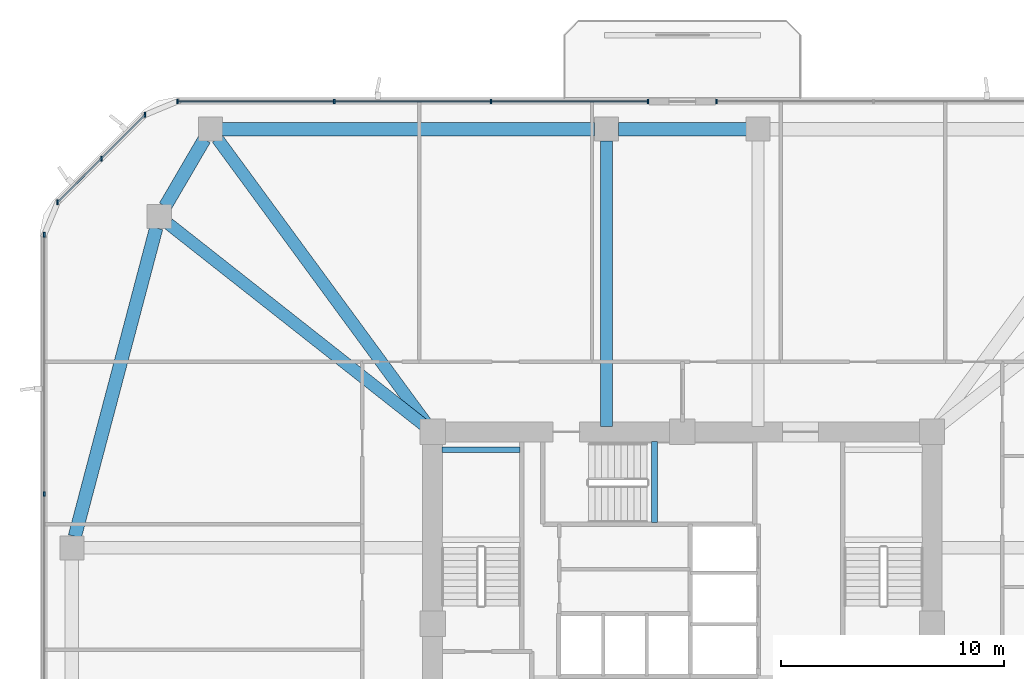
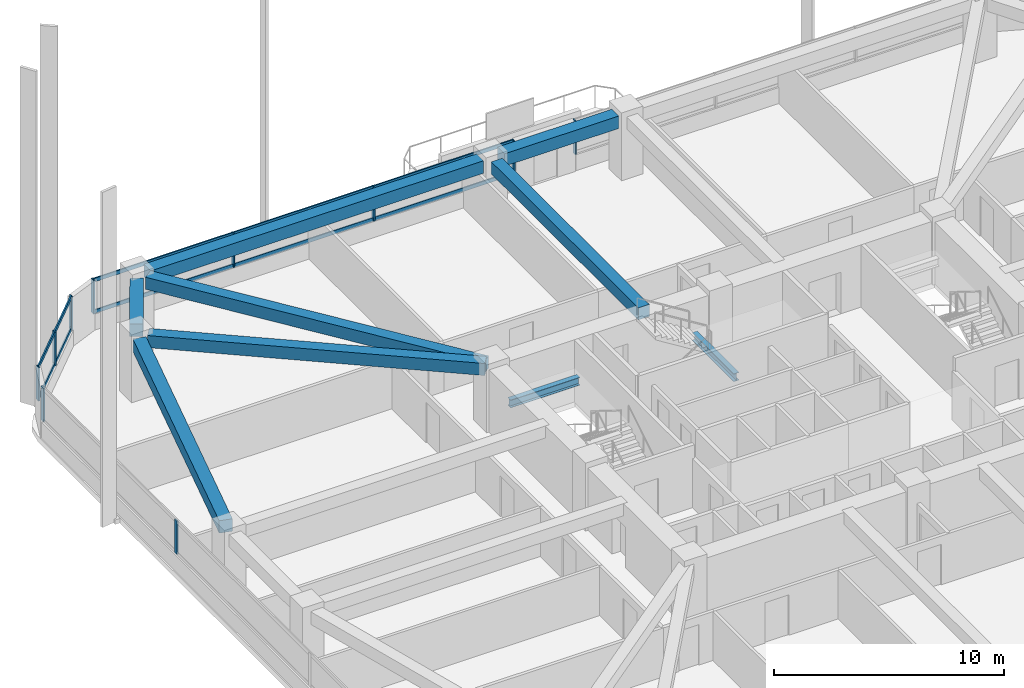
# One storey, part 6 of 17: 14 members, 9 beams, 4 elements without a shape of their own.
"""IFC4 building model written with IfcOpenShell, lengths in metres."""

from ifc_helpers import new_model, si_unit, derived_unit, direction, frame, origin, origin_2d, place, context, subcontext, project, spatial, rectangle, i_section, extrude, material, material_profile, profile_set, type_object, element, aggregate, save


model = new_model("IFC4")

# Units and contexts
model_context = context("Model", 3, precision=1e-05, world=origin(), true_north=direction((0.0, 1.0)))
body_context = subcontext(model_context, "Body", "Model", "MODEL_VIEW")
ifc_project = project(units=[si_unit("LENGTHUNIT", "METRE"), si_unit("AREAUNIT", "SQUARE_METRE"), si_unit("VOLUMEUNIT", "CUBIC_METRE"), si_unit("PLANEANGLEUNIT", "RADIAN"), si_unit("MASSUNIT", "GRAM", prefix="KILO"), derived_unit("THERMALTRANSMITTANCEUNIT", [(si_unit("POWERUNIT", "WATT"), 1), (si_unit("LENGTHUNIT", "METRE"), -2), (si_unit("THERMODYNAMICTEMPERATUREUNIT", "KELVIN"), -1)])], contexts=[model_context])

# Site, building, storey
site_placement = place(None, origin())
site = spatial("IfcSite", under=ifc_project, at=site_placement, CompositionType="ELEMENT")
building_placement = place(site_placement, origin())
building = spatial("IfcBuilding", under=site, at=building_placement, Name="Koralith Skygarden Medical Center", CompositionType="ELEMENT")
storey_placement = place(building_placement, frame((0.0, 0.0, 67.139892578125)))
storey = spatial("IfcBuildingStorey", under=building, at=storey_placement, Name="L17", CompositionType="ELEMENT", Elevation=67.139892578125)

# Curtain wall, member
ifc_material_1 = material(Name="Clear Laminated Glass", Category="glass")
curtain_wall_type = type_object("IfcCurtainWallType", Name="CW-2 Zone 1 Hurricane Unitised Curtain Wall", PredefinedType="NOTDEFINED", material=ifc_material_1)
curtain_wall_1_placement = place(storey_placement, origin())
curtain_wall_1 = element("IfcCurtainWall", 1, at=curtain_wall_1_placement, inside=storey, type_object=curtain_wall_type, Name="Curtain Wall CW-L17-N-L", PredefinedType="NOTDEFINED")
ifc_material_2 = material(Name="Aluminium 6063-T6", Category="aluminium")
ifc_material_profile_1 = material_profile(ifc_material_2, rectangle(XDim=0.071044921875, YDim=0.219970703125, at=origin_2d()), Name="MUL71X220")
ifc_profile_set_1 = profile_set([ifc_material_profile_1], Name="Aluminium 6063-T6")
member_type_1 = type_object("IfcMemberType", Name="CW-2 Extruded Mullion 71x220", PredefinedType="MULLION", material=ifc_profile_set_1)
member_1_placement = place(storey_placement, frame((38.5400390625, 49.320068359375, 0.85009765625), z_axis=(0.0, 0.0, 1.0), x_axis=(1.0, 0.0, 0.0)))
member_1 = element("IfcMember", 2, at=member_1_placement, type_object=member_type_1, Name="CW-L17-N-L Mullion 4", PredefinedType="MULLION", context=body_context, shape_type="SweptSolid", body=[
    extrude(rectangle(XDim=0.071044921875, YDim=0.219970703125, at=origin_2d()), origin(), (0.0, 0.0, 1.0), 1.780029296875),
])
aggregate(curtain_wall_1, [member_1])

# Curtain wall, members
curtain_wall_2_placement = place(storey_placement, origin())
curtain_wall_2 = element("IfcCurtainWall", 3, at=curtain_wall_2_placement, inside=storey, type_object=curtain_wall_type, Name="Curtain Wall CW-L17-N-R", PredefinedType="NOTDEFINED")
member_2_placement = place(storey_placement, frame((35.4599609375, 49.320068359375, 0.85009765625), z_axis=(0.0, 0.0, 1.0), x_axis=(1.0, 0.0, 0.0)))
member_2 = element("IfcMember", 4, at=member_2_placement, type_object=member_type_1, Name="CW-L17-N-R Mullion 1", PredefinedType="MULLION", context=body_context, shape_type="SweptSolid", body=[
    extrude(rectangle(XDim=0.071044921875, YDim=0.219970703125, at=origin_2d()), origin(), (0.0, 0.0, 1.0), 1.780029296875),
])
member_3_placement = place(storey_placement, frame((28.425048828125, 49.320068359375, 0.85009765625), z_axis=(0.0, 0.0, 1.0), x_axis=(1.0, 0.0, 0.0)))
member_3 = element("IfcMember", 5, at=member_3_placement, type_object=member_type_1, Name="CW-L17-N-R Mullion 2", PredefinedType="MULLION", context=body_context, shape_type="SweptSolid", body=[
    extrude(rectangle(XDim=0.071044921875, YDim=0.219970703125, at=origin_2d()), origin(), (0.0, 0.0, 1.0), 1.780029296875),
])
member_4_placement = place(storey_placement, frame((21.389892578125, 49.320068359375, 0.85009765625), z_axis=(0.0, 0.0, 1.0), x_axis=(1.0, 0.0, 0.0)))
member_4 = element("IfcMember", 6, at=member_4_placement, type_object=member_type_1, Name="CW-L17-N-R Mullion 3", PredefinedType="MULLION", context=body_context, shape_type="SweptSolid", body=[
    extrude(rectangle(XDim=0.071044921875, YDim=0.219970703125, at=origin_2d()), origin(), (0.0, 0.0, 1.0), 1.780029296875),
])
member_5_placement = place(storey_placement, frame((14.35498046875, 49.320068359375, 0.85009765625), z_axis=(0.0, 0.0, 1.0), x_axis=(1.0, 0.0, 0.0)))
member_5 = element("IfcMember", 7, at=member_5_placement, type_object=member_type_1, Name="CW-L17-N-R Mullion 4", PredefinedType="MULLION", context=body_context, shape_type="SweptSolid", body=[
    extrude(rectangle(XDim=0.071044921875, YDim=0.219970703125, at=origin_2d()), origin(), (0.0, 0.0, 1.0), 1.780029296875),
])

curtain_wall_3_placement = place(storey_placement, origin())
curtain_wall_3 = element("IfcCurtainWall", 8, at=curtain_wall_3_placement, inside=storey, type_object=curtain_wall_type, Name="Curtain Wall CW-L17-NW", PredefinedType="NOTDEFINED")
member_6_placement = place(storey_placement, frame((12.904052734375, 48.718994140625, 0.85009765625), z_axis=(0.0, 0.0, 1.0), x_axis=(1.0, 0.0, 0.0)))
member_6 = element("IfcMember", 9, at=member_6_placement, type_object=member_type_1, Name="CW-L17-NW Mullion 1", PredefinedType="MULLION", context=body_context, shape_type="SweptSolid", body=[
    extrude(rectangle(XDim=0.071044921875, YDim=0.219970703125, at=origin_2d()), origin(), (0.0, 0.0, 1.0), 1.780029296875),
])
member_7_placement = place(storey_placement, frame((10.94189453125, 46.758056640625, 0.85009765625), z_axis=(0.0, 0.0, 1.0), x_axis=(1.0, 0.0, 0.0)))
member_7 = element("IfcMember", 10, at=member_7_placement, type_object=member_type_1, Name="CW-L17-NW Mullion 2", PredefinedType="MULLION", context=body_context, shape_type="SweptSolid", body=[
    extrude(rectangle(XDim=0.071044921875, YDim=0.219970703125, at=origin_2d()), origin(), (0.0, 0.0, 1.0), 1.780029296875),
])
member_8_placement = place(storey_placement, frame((8.98095703125, 44.7958984375, 0.85009765625), z_axis=(0.0, 0.0, 1.0), x_axis=(1.0, 0.0, 0.0)))
member_8 = element("IfcMember", 11, at=member_8_placement, type_object=member_type_1, Name="CW-L17-NW Mullion 3", PredefinedType="MULLION", context=body_context, shape_type="SweptSolid", body=[
    extrude(rectangle(XDim=0.071044921875, YDim=0.219970703125, at=origin_2d()), origin(), (0.0, 0.0, 1.0), 1.780029296875),
])

curtain_wall_4_placement = place(storey_placement, origin())
curtain_wall_4 = element("IfcCurtainWall", 12, at=curtain_wall_4_placement, inside=storey, type_object=curtain_wall_type, Name="Curtain Wall CW-L17-W", PredefinedType="NOTDEFINED")
member_9_placement = place(storey_placement, frame((8.3798828125, 43.344970703125, 0.85009765625), z_axis=(0.0, 0.0, 1.0), x_axis=(1.0, 0.0, 0.0)))
member_9 = element("IfcMember", 13, at=member_9_placement, type_object=member_type_1, Name="CW-L17-W Mullion 1", PredefinedType="MULLION", context=body_context, shape_type="SweptSolid", body=[
    extrude(rectangle(XDim=0.071044921875, YDim=0.219970703125, at=origin_2d()), origin(), (0.0, 0.0, 1.0), 1.780029296875),
])
member_10_placement = place(storey_placement, frame((8.3798828125, 31.715087890625, 0.85009765625), z_axis=(0.0, 0.0, 1.0), x_axis=(1.0, 0.0, 0.0)))
member_10 = element("IfcMember", 14, at=member_10_placement, type_object=member_type_1, Name="CW-L17-W Mullion 2", PredefinedType="MULLION", context=body_context, shape_type="SweptSolid", body=[
    extrude(rectangle(XDim=0.071044921875, YDim=0.219970703125, at=origin_2d()), origin(), (0.0, 0.0, 1.0), 1.780029296875),
])
aggregate(curtain_wall_4, [member_9, member_10])

# Member
ifc_material_profile_2 = material_profile(ifc_material_2, rectangle(XDim=0.06591796875, YDim=0.197998046875, at=origin_2d()), Name="TRN66X198")
ifc_profile_set_2 = profile_set([ifc_material_profile_2], Name="Aluminium 6063-T6")
member_type_2 = type_object("IfcMemberType", Name="CW-2 Thermal Transom 66x198", PredefinedType="USERDEFINED", material=ifc_profile_set_2)
member_11_placement = place(storey_placement, frame((35.4599609375, 49.320068359375, 0.900146484375), z_axis=(-1.0, 0.0, 0.0), x_axis=(0.0, -1.0, 0.0)))
member_11 = element("IfcMember", 15, at=member_11_placement, type_object=member_type_2, Name="CW-L17-N-R Transom 1", ObjectType="TRANSOM", PredefinedType="USERDEFINED", context=body_context, shape_type="SweptSolid", body=[
    extrude(rectangle(XDim=0.06591796875, YDim=0.197998046875, at=origin_2d()), origin(), (0.0, 0.0, 1.0), 21.10498046875),
])

member_12_placement = place(storey_placement, frame((35.4599609375, 49.320068359375, 2.580078125), z_axis=(-1.0, 0.0, 0.0), x_axis=(0.0, -1.0, 0.0)))
member_12 = element("IfcMember", 16, at=member_12_placement, type_object=member_type_2, Name="CW-L17-N-R Transom 2", ObjectType="TRANSOM", PredefinedType="USERDEFINED", context=body_context, shape_type="SweptSolid", body=[
    extrude(rectangle(XDim=0.06591796875, YDim=0.197998046875, at=origin_2d()), origin(), (0.0, 0.0, 1.0), 21.10498046875),
])

aggregate(curtain_wall_2, [member_2, member_3, member_4, member_5, member_11, member_12])

member_13_placement = place(storey_placement, frame((12.904052734375, 48.718994140625, 0.900146484375), z_axis=(-0.707106781187, -0.707106781187, 0.0), x_axis=(0.707106781187, -0.707106781187, 0.0)))
member_13 = element("IfcMember", 17, at=member_13_placement, type_object=member_type_2, Name="CW-L17-NW Transom 1", ObjectType="TRANSOM", PredefinedType="USERDEFINED", context=body_context, shape_type="SweptSolid", body=[
    extrude(rectangle(XDim=0.06591796875, YDim=0.197998046875, at=origin_2d()), origin(), (0.0, 0.0, 1.0), 5.548095703125),
])

member_14_placement = place(storey_placement, frame((12.904052734375, 48.718994140625, 2.580078125), z_axis=(-0.707106781187, -0.707106781187, 0.0), x_axis=(0.707106781187, -0.707106781187, 0.0)))
member_14 = element("IfcMember", 18, at=member_14_placement, type_object=member_type_2, Name="CW-L17-NW Transom 2", ObjectType="TRANSOM", PredefinedType="USERDEFINED", context=body_context, shape_type="SweptSolid", body=[
    extrude(rectangle(XDim=0.06591796875, YDim=0.197998046875, at=origin_2d()), origin(), (0.0, 0.0, 1.0), 5.548095703125),
])

aggregate(curtain_wall_3, [member_6, member_7, member_8, member_13, member_14])

# Beams
ifc_material_3 = material(Name="Steel ASTM A992 Grade 50", Category="steel")
ifc_material_profile_3 = material_profile(ifc_material_3, i_section(OverallWidth=0.260009765625, OverallDepth=0.4150390625, WebThickness=0.010009765625, FlangeThickness=0.016845703125, at=origin_2d()), Name="W16X67")
ifc_profile_set_3 = profile_set([ifc_material_profile_3], Name="Steel ASTM A992 Grade 50")
beam_type_1 = type_object("IfcBeamType", Name="Clinical Floor Joist W16X67", PredefinedType="JOIST", material=ifc_profile_set_3)
beam_1_placement = place(storey_placement, frame((26.22998046875, 33.699951171875, 1.39208984375), z_axis=(1.0, 0.0, 0.0), x_axis=(0.0, 1.0, 0.0)))
element("IfcBeam", 19, at=beam_1_placement, inside=storey, type_object=beam_type_1, Name="L17 Stair ST1 Half-Landing Support Beam 1B", PredefinedType="JOIST", context=body_context, shape_type="SweptSolid", body=[
    extrude(i_section(OverallWidth=0.260009765625, OverallDepth=0.4150390625, WebThickness=0.010009765625, FlangeThickness=0.016845703125, at=origin_2d()), origin(), (0.0, 0.0, 1.0), 3.489990234375),
])
beam_2_placement = place(storey_placement, frame((35.760009765625, 30.43994140625, 1.39208984375), z_axis=(0.0, 1.0, 0.0), x_axis=(-1.0, 0.0, 0.0)))
element("IfcBeam", 20, at=beam_2_placement, inside=storey, type_object=beam_type_1, Name="L17 Stair ST3 Half-Landing Support Beam 1A", PredefinedType="JOIST", context=body_context, shape_type="SweptSolid", body=[
    extrude(i_section(OverallWidth=0.260009765625, OverallDepth=0.4150390625, WebThickness=0.010009765625, FlangeThickness=0.016845703125, at=origin_2d()), origin(), (0.0, 0.0, 1.0), 3.630126953125),
])
ifc_material_4 = material(Name="Concrete C45/55", Category="concrete")
ifc_material_profile_4 = material_profile(ifc_material_4, rectangle(XDim=0.550048828125, YDim=0.639892578125, at=origin_2d()), Name="RCB550X640")
ifc_profile_set_4 = profile_set([ifc_material_profile_4], Name="Concrete C45/55")
beam_type_2 = type_object("IfcBeamType", Name="Radial Collector Beam RCB550X640", PredefinedType="BEAM", material=ifc_profile_set_4)
beam_3_placement = place(storey_placement, frame((33.60009765625, 34.75, 2.980224609375), z_axis=(0.0, 1.0, 0.0), x_axis=(-1.0, 0.0, 0.0)))
element("IfcBeam", 21, at=beam_3_placement, inside=storey, type_object=beam_type_2, Name="L17 Radial Collector Beam RB-13", PredefinedType="BEAM", context=body_context, shape_type="SweptSolid", body=[
    extrude(rectangle(XDim=0.550048828125, YDim=0.639892578125, at=origin_2d()), origin(), (0.0, 0.0, 1.0), 12.800048828125),
])
beam_4_placement = place(storey_placement, frame((25.652099609375, 34.701904296875, 2.980224609375), z_axis=(-0.591710803277, 0.806150311843, 0.0), x_axis=(-0.806150311843, -0.591710803277, 0.0)))
element("IfcBeam", 22, at=beam_4_placement, inside=storey, type_object=beam_type_2, Name="L17 Radial Collector Beam RB-14", PredefinedType="BEAM", context=body_context, shape_type="SweptSolid", body=[
    extrude(rectangle(XDim=0.550048828125, YDim=0.639892578125, at=origin_2d()), origin(), (0.0, 0.0, 1.0), 16.0654296875),
])
beam_5_placement = place(storey_placement, frame((25.60400390625, 34.655029296875, 2.980224609375), z_axis=(-0.785497250365, 0.618865146594, 0.0), x_axis=(-0.618865146594, -0.785497250365, 0.0)))
element("IfcBeam", 23, at=beam_5_placement, inside=storey, type_object=beam_type_2, Name="L17 Radial Collector Beam RB-15", PredefinedType="BEAM", context=body_context, shape_type="SweptSolid", body=[
    extrude(rectangle(XDim=0.550048828125, YDim=0.639892578125, at=origin_2d()), origin(), (0.0, 0.0, 1.0), 14.828857421875),
])
ifc_material_profile_5 = material_profile(ifc_material_4, rectangle(XDim=0.60009765625, YDim=0.659912109375, at=origin_2d()), Name="RCB600X660")
ifc_profile_set_5 = profile_set([ifc_material_profile_5], Name="Concrete C45/55")
beam_type_3 = type_object("IfcBeamType", Name="Zone 1 Spandrel Beam RCB600X660", PredefinedType="SPANDREL", material=ifc_profile_set_5)
beam_6_placement = place(storey_placement, frame((39.8701171875, 48.080078125, 2.97021484375), z_axis=(-1.0, 0.0, 0.0), x_axis=(0.0, -1.0, 0.0)))
element("IfcBeam", 24, at=beam_6_placement, inside=storey, type_object=beam_type_3, Name="L17 Perimeter Spandrel Beam SP-12", PredefinedType="SPANDREL", context=body_context, shape_type="SweptSolid", body=[
    extrude(rectangle(XDim=0.60009765625, YDim=0.659912109375, at=origin_2d()), origin(), (0.0, 0.0, 1.0), 5.740234375),
])
beam_7_placement = place(storey_placement, frame((33.070068359375, 48.080078125, 2.97021484375), z_axis=(-1.0, 0.0, 0.0), x_axis=(0.0, -1.0, 0.0)))
element("IfcBeam", 25, at=beam_7_placement, inside=storey, type_object=beam_type_3, Name="L17 Perimeter Spandrel Beam SP-13", PredefinedType="SPANDREL", context=body_context, shape_type="SweptSolid", body=[
    extrude(rectangle(XDim=0.60009765625, YDim=0.659912109375, at=origin_2d()), origin(), (0.0, 0.0, 1.0), 16.7080078125),
])
beam_8_placement = place(storey_placement, frame((15.56396484375, 47.6220703125, 2.97021484375), z_axis=(-0.504608092658, -0.863348523381, 0.0), x_axis=(0.863348523381, -0.504608092658, 0.0)))
element("IfcBeam", 26, at=beam_8_placement, inside=storey, type_object=beam_type_3, Name="L17 Perimeter Spandrel Beam SP-14", PredefinedType="SPANDREL", context=body_context, shape_type="SweptSolid", body=[
    extrude(rectangle(XDim=0.60009765625, YDim=0.659912109375, at=origin_2d()), origin(), (0.0, 0.0, 1.0), 3.479736328125),
])
beam_9_placement = place(storey_placement, frame((13.405029296875, 43.64794921875, 2.97021484375), z_axis=(-0.255088684842, -0.966917660851, 0.0), x_axis=(0.966917660851, -0.255088684842, 0.0)))
element("IfcBeam", 27, at=beam_9_placement, inside=storey, type_object=beam_type_3, Name="L17 Perimeter Spandrel Beam SP-15", PredefinedType="SPANDREL", context=body_context, shape_type="SweptSolid", body=[
    extrude(rectangle(XDim=0.60009765625, YDim=0.659912109375, at=origin_2d()), origin(), (0.0, 0.0, 1.0), 14.309326171875),
])

save(model, "model.ifc")
